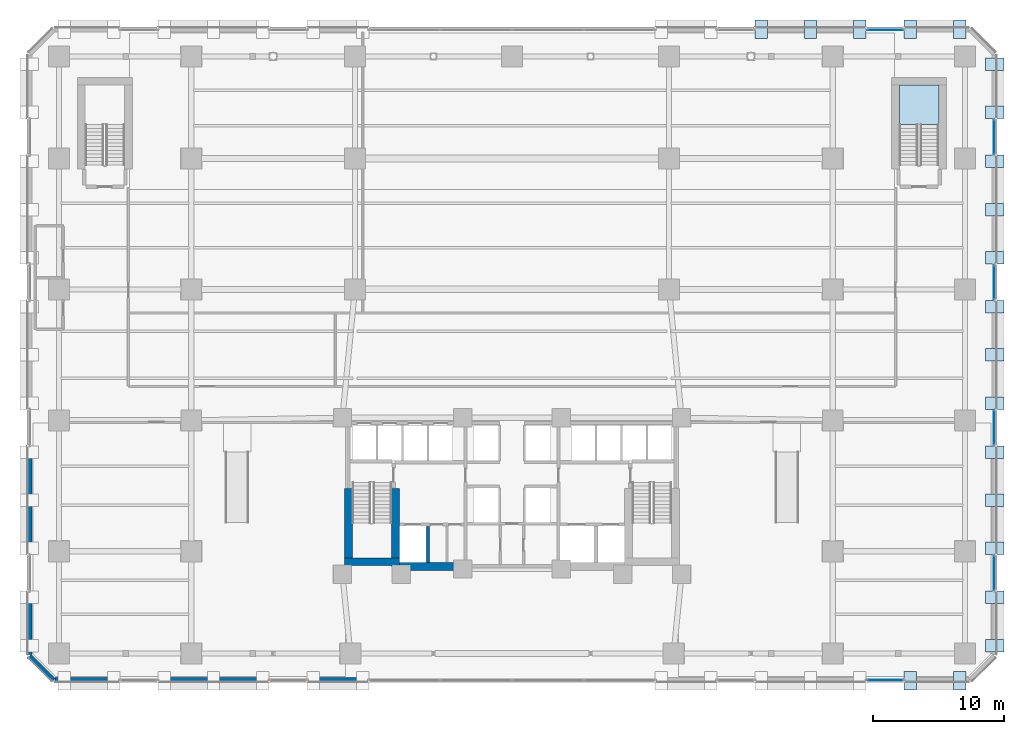
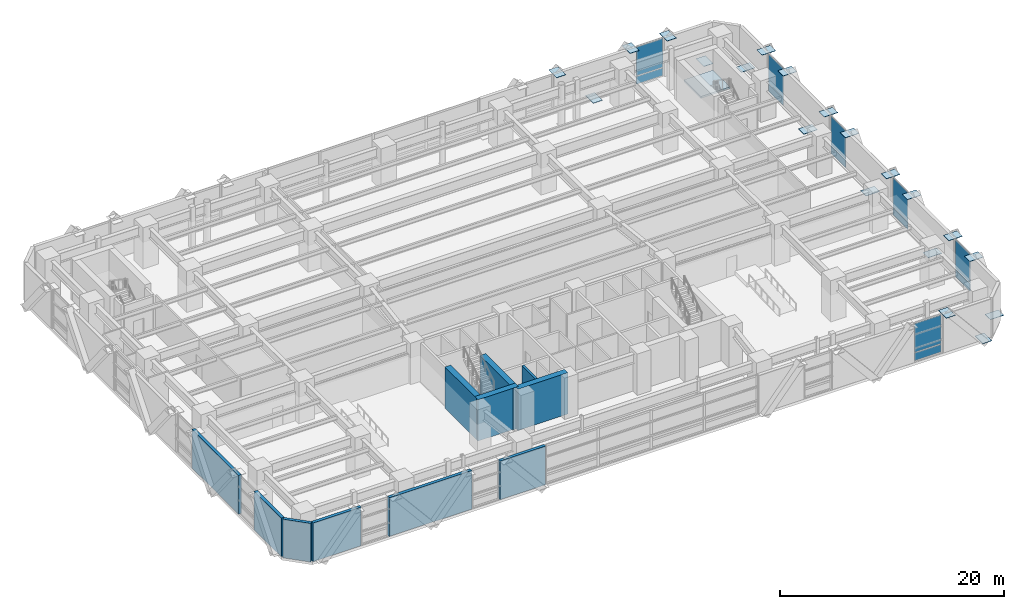
# One storey, part 13 of 26: 32 plates, 11 walls, 1 slab, 7 elements without a shape of their own.
"""IFC4 building model written with IfcOpenShell, lengths in metres."""

from ifc_helpers import new_model, si_unit, direction, frame, frame_2d, origin, origin_2d, place, context, subcontext, project, spatial, polyline, rectangle, outline, extrude, material, layer, layer_set, type_object, element, aggregate, save


model = new_model("IFC4")

# Units and contexts
model_context = context("Model", 3, precision=1e-05, world=origin(), true_north=direction((0.0, 1.0)))
body_context = subcontext(model_context, "Body", "Model", "MODEL_VIEW")
ifc_project = project(units=[si_unit("LENGTHUNIT", "METRE"), si_unit("AREAUNIT", "SQUARE_METRE"), si_unit("VOLUMEUNIT", "CUBIC_METRE"), si_unit("PLANEANGLEUNIT", "RADIAN"), si_unit("MASSUNIT", "GRAM", prefix="KILO")], contexts=[model_context])

# Site, building, storey
site_placement = place(None, origin())
site = spatial("IfcSite", under=ifc_project, at=site_placement, CompositionType="ELEMENT")
building_placement = place(site_placement, origin())
building = spatial("IfcBuilding", under=site, at=building_placement, Name="Quenlor Broadcast Tower", CompositionType="ELEMENT")
storey_placement = place(building_placement, frame((0.0, 0.0, 5.0)))
storey = spatial("IfcBuildingStorey", under=building, at=storey_placement, Name="L01", CompositionType="ELEMENT", Elevation=5.0)

# Curtain wall, plates
ifc_material_1 = material(Name="Architectural Terracotta and Low-E Glazing", Category="masonry")
curtain_wall_type = type_object("IfcCurtainWallType", Name="Station Concourse and Crown Terracotta Curtain Wall", PredefinedType="NOTDEFINED", material=ifc_material_1)
curtain_wall_1_placement = place(storey_placement, origin())
curtain_wall_1 = element("IfcCurtainWall", 1, at=curtain_wall_1_placement, inside=storey, type_object=curtain_wall_type, Name="L01 Curtain Wall CW6 (L01-S-FULL-G1)", PredefinedType="NOTDEFINED")
ifc_material_2 = material(Name="Double Glazed Low-E Solar Glass", Category="glass")
ifc_layer_1 = layer(ifc_material_2, 0.033935546875)
ifc_layer_set_1 = layer_set([ifc_layer_1], Name="CW6 Double Glazed Vision Panel 34")
plate_type_1 = type_object("IfcPlateType", Name="CW6 Double Glazed Vision Panel 34", PredefinedType="CURTAIN_PANEL", material=ifc_layer_set_1)
plate_1_placement = place(storey_placement, frame((28.5, -24.820068359375, 0.08203125), z_axis=(0.0, 0.0, 1.0), x_axis=(-1.0, 0.0, 0.0)))
plate_1 = element("IfcPlate", 2, at=plate_1_placement, type_object=plate_type_1, Name="CW6 panel 1.1", PredefinedType="CURTAIN_PANEL", context=body_context, shape_type="SweptSolid", body=[
    extrude(rectangle(XDim=2.737060546875, YDim=0.033935546875, at=origin_2d()), origin(), (0.0, 0.0, 1.0), 0.826904296875),
])
plate_2_placement = place(storey_placement, frame((28.5, -24.820068359375, 0.990966796875), z_axis=(0.0, 0.0, 1.0), x_axis=(-1.0, 0.0, 0.0)))
plate_2 = element("IfcPlate", 3, at=plate_2_placement, type_object=plate_type_1, Name="CW6 panel 1.2", PredefinedType="CURTAIN_PANEL", context=body_context, shape_type="SweptSolid", body=[
    extrude(rectangle(XDim=2.737060546875, YDim=0.033935546875, at=origin_2d()), origin(), (0.0, 0.0, 1.0), 3.126953125),
])
aggregate(curtain_wall_1, [plate_1, plate_2])

curtain_wall_2_placement = place(storey_placement, origin())
curtain_wall_2 = element("IfcCurtainWall", 4, at=curtain_wall_2_placement, inside=storey, type_object=curtain_wall_type, Name="L01 Curtain Wall CW6 (L01-N-FULL-G5)", PredefinedType="NOTDEFINED")
plate_3_placement = place(storey_placement, frame((28.5, 24.820068359375, 0.08203125), z_axis=(0.0, 0.0, 1.0), x_axis=(1.0, 0.0, 0.0)))
plate_3 = element("IfcPlate", 5, at=plate_3_placement, type_object=plate_type_1, Name="CW6 panel 1.1", PredefinedType="CURTAIN_PANEL", context=body_context, shape_type="SweptSolid", body=[
    extrude(rectangle(XDim=2.737060546875, YDim=0.033935546875, at=origin_2d()), origin(), (0.0, 0.0, 1.0), 0.826904296875),
])
plate_4_placement = place(storey_placement, frame((28.5, 24.820068359375, 0.990966796875), z_axis=(0.0, 0.0, 1.0), x_axis=(1.0, 0.0, 0.0)))
plate_4 = element("IfcPlate", 6, at=plate_4_placement, type_object=plate_type_1, Name="CW6 panel 1.2", PredefinedType="CURTAIN_PANEL", context=body_context, shape_type="SweptSolid", body=[
    extrude(rectangle(XDim=2.737060546875, YDim=0.033935546875, at=origin_2d()), origin(), (0.0, 0.0, 1.0), 3.126953125),
])
aggregate(curtain_wall_2, [plate_3, plate_4])

curtain_wall_3_placement = place(storey_placement, origin())
curtain_wall_3 = element("IfcCurtainWall", 7, at=curtain_wall_3_placement, inside=storey, type_object=curtain_wall_type, Name="L01 Curtain Wall CW6 (L01-E-FULL-G1)", PredefinedType="NOTDEFINED")
plate_5_placement = place(storey_placement, frame((36.820068359375, 16.64990234375, 0.08203125), z_axis=(0.0, 0.0, 1.0), x_axis=(0.0, -1.0, 0.0)))
plate_5 = element("IfcPlate", 8, at=plate_5_placement, type_object=plate_type_1, Name="CW6 panel 1.1", PredefinedType="CURTAIN_PANEL", context=body_context, shape_type="SweptSolid", body=[
    extrude(rectangle(XDim=2.630615234375, YDim=0.033935546875, at=origin_2d()), origin(), (0.0, 0.0, 1.0), 0.826904296875),
])
plate_6_placement = place(storey_placement, frame((36.820068359375, 16.64990234375, 0.990966796875), z_axis=(0.0, 0.0, 1.0), x_axis=(0.0, -1.0, 0.0)))
plate_6 = element("IfcPlate", 9, at=plate_6_placement, type_object=plate_type_1, Name="CW6 panel 1.2", PredefinedType="CURTAIN_PANEL", context=body_context, shape_type="SweptSolid", body=[
    extrude(rectangle(XDim=2.630615234375, YDim=0.033935546875, at=origin_2d()), origin(), (0.0, 0.0, 1.0), 3.126953125),
])
aggregate(curtain_wall_3, [plate_5, plate_6])

curtain_wall_4_placement = place(storey_placement, origin())
curtain_wall_4 = element("IfcCurtainWall", 10, at=curtain_wall_4_placement, inside=storey, type_object=curtain_wall_type, Name="L01 Curtain Wall CW6 (L01-E-FULL-G2)", PredefinedType="NOTDEFINED")
plate_7_placement = place(storey_placement, frame((36.820068359375, 5.550048828125, 0.08203125), z_axis=(0.0, 0.0, 1.0), x_axis=(0.0, -1.0, 0.0)))
plate_7 = element("IfcPlate", 11, at=plate_7_placement, type_object=plate_type_1, Name="CW6 panel 1.1", PredefinedType="CURTAIN_PANEL", context=body_context, shape_type="SweptSolid", body=[
    extrude(rectangle(XDim=2.630615234375, YDim=0.033935546875, at=origin_2d()), origin(), (0.0, 0.0, 1.0), 0.826904296875),
])
plate_8_placement = place(storey_placement, frame((36.820068359375, 5.550048828125, 0.990966796875), z_axis=(0.0, 0.0, 1.0), x_axis=(0.0, -1.0, 0.0)))
plate_8 = element("IfcPlate", 12, at=plate_8_placement, type_object=plate_type_1, Name="CW6 panel 1.2", PredefinedType="CURTAIN_PANEL", context=body_context, shape_type="SweptSolid", body=[
    extrude(rectangle(XDim=2.630615234375, YDim=0.033935546875, at=origin_2d()), origin(), (0.0, 0.0, 1.0), 3.126953125),
])
aggregate(curtain_wall_4, [plate_7, plate_8])

curtain_wall_5_placement = place(storey_placement, origin())
curtain_wall_5 = element("IfcCurtainWall", 13, at=curtain_wall_5_placement, inside=storey, type_object=curtain_wall_type, Name="L01 Curtain Wall CW6 (L01-E-FULL-G3)", PredefinedType="NOTDEFINED")
plate_9_placement = place(storey_placement, frame((36.820068359375, -5.550048828125, 0.08203125), z_axis=(0.0, 0.0, 1.0), x_axis=(0.0, -1.0, 0.0)))
plate_9 = element("IfcPlate", 14, at=plate_9_placement, type_object=plate_type_1, Name="CW6 panel 1.1", PredefinedType="CURTAIN_PANEL", context=body_context, shape_type="SweptSolid", body=[
    extrude(rectangle(XDim=2.630615234375, YDim=0.033935546875, at=origin_2d()), origin(), (0.0, 0.0, 1.0), 0.826904296875),
])
plate_10_placement = place(storey_placement, frame((36.820068359375, -5.550048828125, 0.990966796875), z_axis=(0.0, 0.0, 1.0), x_axis=(0.0, -1.0, 0.0)))
plate_10 = element("IfcPlate", 15, at=plate_10_placement, type_object=plate_type_1, Name="CW6 panel 1.2", PredefinedType="CURTAIN_PANEL", context=body_context, shape_type="SweptSolid", body=[
    extrude(rectangle(XDim=2.630615234375, YDim=0.033935546875, at=origin_2d()), origin(), (0.0, 0.0, 1.0), 3.126953125),
])
aggregate(curtain_wall_5, [plate_9, plate_10])

curtain_wall_6_placement = place(storey_placement, origin())
curtain_wall_6 = element("IfcCurtainWall", 16, at=curtain_wall_6_placement, inside=storey, type_object=curtain_wall_type, Name="L01 Curtain Wall CW6 (L01-E-FULL-G4)", PredefinedType="NOTDEFINED")
plate_11_placement = place(storey_placement, frame((36.820068359375, -16.64990234375, 0.08203125), z_axis=(0.0, 0.0, 1.0), x_axis=(0.0, -1.0, 0.0)))
plate_11 = element("IfcPlate", 17, at=plate_11_placement, type_object=plate_type_1, Name="CW6 panel 1.1", PredefinedType="CURTAIN_PANEL", context=body_context, shape_type="SweptSolid", body=[
    extrude(rectangle(XDim=2.630615234375, YDim=0.033935546875, at=origin_2d()), origin(), (0.0, 0.0, 1.0), 0.826904296875),
])
plate_12_placement = place(storey_placement, frame((36.820068359375, -16.64990234375, 0.990966796875), z_axis=(0.0, 0.0, 1.0), x_axis=(0.0, -1.0, 0.0)))
plate_12 = element("IfcPlate", 18, at=plate_12_placement, type_object=plate_type_1, Name="CW6 panel 1.2", PredefinedType="CURTAIN_PANEL", context=body_context, shape_type="SweptSolid", body=[
    extrude(rectangle(XDim=2.630615234375, YDim=0.033935546875, at=origin_2d()), origin(), (0.0, 0.0, 1.0), 3.126953125),
])
aggregate(curtain_wall_6, [plate_11, plate_12])

# Stair, slab
ifc_material_3 = material(Name="Precast concrete C40/50", Category="concrete")
stair_type = type_object("IfcStairType", Name="Precast Concrete C40/50 Dogleg Stair H450", PredefinedType="HALF_TURN_STAIR", material=ifc_material_3)
stair_placement = place(storey_placement, origin())
stair = element("IfcStair", 19, at=stair_placement, inside=storey, type_object=stair_type, Name="L01 Station Podium North-East Exit Stair ST-4", PredefinedType="HALF_TURN_STAIR")
ifc_material_4 = material(Name="Precast concrete C40/50", Category="concrete")
ifc_layer_2 = layer(ifc_material_4, 0.199951171875)
ifc_layer_set_2 = layer_set([ifc_layer_2], Name="Precast Concrete C40/50 Stair Landing Slab 200")
slab_type = type_object("IfcSlabType", Name="Precast Concrete C40/50 Stair Landing Slab 200", PredefinedType="LANDING", material=ifc_layer_set_2)
slab_placement = place(storey_placement, frame((0.0, 0.0, 2.050048828125)))
slab = element("IfcSlab", 20, at=slab_placement, type_object=slab_type, Name="ST-4 landing 1", PredefinedType="LANDING", context=body_context, shape_type="SweptSolid", body=[
    extrude(outline(polyline([(32.60009765625, 17.580078125), (32.60009765625, 20.60009765625), (29.60009765625, 20.60009765625), (29.60009765625, 17.580078125), (32.60009765625, 17.580078125)])), origin(), (0.0, 0.0, 1.0), 0.199951171875),
])
aggregate(stair, [slab])

# Plates
ifc_material_5 = material(Name="Steel S355", Category="steel")
ifc_layer_3 = layer(ifc_material_5, 0.035888671875)
ifc_layer_set_3 = layer_set([ifc_layer_3], Name="Transfer Truss Steel S355 Gusset Node Plate 1400x950x36")
plate_type_2 = type_object("IfcPlateType", Name="Transfer Truss Steel S355 Gusset Node Plate 1400x950x36", PredefinedType="SHEET", material=ifc_layer_set_3)
for number, where, z_axis, x_axis, name in (
    (21, (34.199951171875, -24.8798828125, 0.0419921875), (0.0, 0.0, 1.0), (0.0, -1.0, 0.0), "L01 Podium Lattice Tie Gusset S-B0"),
    (22, (30.4228515625, -24.8798828125, 4.14208984375), (0.0, 0.0, 1.0), (0.0, -1.0, 0.0), "L01 Podium Lattice Tie Gusset S-T1"),
    (23, (22.800048828125, 24.8798828125, 0.0419921875), (0.0, 0.0, 1.0), (0.0, 1.0, 0.0), "L01 Podium Lattice Tie Gusset N-B15"),
    (24, (19.022705078125, 24.8798828125, 4.14208984375), (0.0, 0.0, 1.0), (0.0, 1.0, 0.0), "L01 Podium Lattice Tie Gusset N-T14"),
    (25, (26.5771484375, 24.8798828125, 4.14208984375), (0.0, 0.0, 1.0), (0.0, 1.0, 0.0), "L01 Podium Lattice Tie Gusset N-T16"),
    (26, (34.199951171875, 24.8798828125, 0.0419921875), (0.0, 0.0, 1.0), (0.0, 1.0, 0.0), "L01 Podium Lattice Tie Gusset N-B18"),
    (27, (30.4228515625, 24.8798828125, 4.14208984375), (0.0, 0.0, 1.0), (0.0, 1.0, 0.0), "L01 Podium Lattice Tie Gusset N-T17"),
    (28, (36.8798828125, 22.199951171875, 0.0419921875), (0.0, 0.0, 1.0), (1.0, 0.0, 0.0), "L01 Podium Lattice Tie Gusset E-B0"),
    (29, (36.8798828125, 18.522216796875, 4.14208984375), (0.0, 0.0, 1.0), (1.0, 0.0, 0.0), "L01 Podium Lattice Tie Gusset E-T1"),
    (30, (36.8798828125, 11.10009765625, 0.0419921875), (0.0, 0.0, 1.0), (1.0, 0.0, 0.0), "L01 Podium Lattice Tie Gusset E-B3"),
    (31, (36.8798828125, 14.77783203125, 4.14208984375), (0.0, 0.0, 1.0), (1.0, 0.0, 0.0), "L01 Podium Lattice Tie Gusset E-T2"),
    (32, (36.8798828125, 7.422119140625, 4.14208984375), (0.0, 0.0, 1.0), (1.0, 0.0, 0.0), "L01 Podium Lattice Tie Gusset E-T4"),
    (33, (36.8798828125, 0.0, 0.0419921875), (0.0, 0.0, 1.0), (1.0, 0.0, 0.0), "L01 Podium Lattice Tie Gusset E-B6"),
    (34, (36.8798828125, 3.677734375, 4.14208984375), (0.0, 0.0, 1.0), (1.0, 0.0, 0.0), "L01 Podium Lattice Tie Gusset E-T5"),
    (35, (36.8798828125, -3.677734375, 4.14208984375), (0.0, 0.0, 1.0), (1.0, 0.0, 0.0), "L01 Podium Lattice Tie Gusset E-T7"),
    (36, (36.8798828125, -11.10009765625, 0.0419921875), (0.0, 0.0, 1.0), (1.0, 0.0, 0.0), "L01 Podium Lattice Tie Gusset E-B9"),
    (37, (36.8798828125, -7.422119140625, 4.14208984375), (0.0, 0.0, 1.0), (1.0, 0.0, 0.0), "L01 Podium Lattice Tie Gusset E-T8"),
    (38, (36.8798828125, -14.77783203125, 4.14208984375), (0.0, 0.0, 1.0), (1.0, 0.0, 0.0), "L01 Podium Lattice Tie Gusset E-T10"),
    (39, (36.8798828125, -22.199951171875, 0.0419921875), (0.0, 0.0, 1.0), (1.0, 0.0, 0.0), "L01 Podium Lattice Tie Gusset E-B12"),
    (40, (36.8798828125, -18.522216796875, 4.14208984375), (0.0, 0.0, 1.0), (1.0, 0.0, 0.0), "L01 Podium Lattice Tie Gusset E-T11"),
):
    element("IfcPlate", number, at=place(storey_placement, frame(where, z_axis=z_axis, x_axis=x_axis)), inside=storey, type_object=plate_type_2, Name=name, PredefinedType="SHEET", context=body_context, shape_type="SweptSolid", body=[
        extrude(rectangle(XDim=1.39990234375, YDim=0.949951171875, at=origin_2d()), origin(), (0.0, 0.0, 1.0), 0.035888671875),
    ])

# Walls
ifc_material_6 = material(Name="Concrete C65/80", Category="concrete")
ifc_layer_4 = layer(ifc_material_6, 0.60009765625)
ifc_layer_set_4 = layer_set([ifc_layer_4], Name="Core Concrete C65/80 Shear Wall 600")
wall_type_1 = type_object("IfcWallType", Name="Core Concrete C65/80 Shear Wall 600", PredefinedType="SHEAR", material=ifc_layer_set_4)
wall_1_placement = place(storey_placement, frame((-12.800048828125, -15.800048828125, 0.0), z_axis=(0.0, 0.0, 1.0), x_axis=(1.0, 0.0, 0.0)))
element("IfcWall", 41, at=wall_1_placement, inside=storey, type_object=wall_type_1, Name="L01 Core Shear Wall WS-W1", PredefinedType="SHEAR", context=body_context, shape_type="SweptSolid", body=[
    extrude(rectangle(XDim=4.199951171875, YDim=0.60009765625, at=frame_2d((2.10009765625, 0.0))), origin(), (0.0, 0.0, 1.0), 4.5),
])
wall_2_placement = place(storey_placement, frame((-8.89990234375, -16.14990234375, 0.0), z_axis=(0.0, 0.0, 1.0), x_axis=(1.0, 0.0, 0.0)))
element("IfcWall", 42, at=wall_2_placement, inside=storey, type_object=wall_type_1, Name="L01 Core Shear Wall WS-W2", PredefinedType="SHEAR", context=body_context, shape_type="SweptSolid", body=[
    extrude(rectangle(XDim=5.14990234375, YDim=0.60009765625, at=frame_2d((2.574951171875, 0.0))), origin(), (0.0, 0.0, 1.0), 4.5),
])
wall_3_placement = place(storey_placement, frame((-12.5, -15.800048828125, 0.0), z_axis=(0.0, 0.0, 1.0), x_axis=(0.0, 1.0, 0.0)))
element("IfcWall", 43, at=wall_3_placement, inside=storey, type_object=wall_type_1, Name="L01 Core Shear Wall WF-W", PredefinedType="SHEAR", context=body_context, shape_type="SweptSolid", body=[
    extrude(rectangle(XDim=5.60009765625, YDim=0.60009765625, at=frame_2d((2.800048828125, 0.0))), origin(), (0.0, 0.0, 1.0), 4.5),
])
wall_4_placement = place(storey_placement, frame((-8.89990234375, -16.14990234375, 0.0), z_axis=(0.0, 0.0, 1.0), x_axis=(0.0, 1.0, 0.0)))
element("IfcWall", 44, at=wall_4_placement, inside=storey, type_object=wall_type_1, Name="L01 Core Shear Wall WI-W", PredefinedType="SHEAR", context=body_context, shape_type="SweptSolid", body=[
    extrude(rectangle(XDim=5.949951171875, YDim=0.60009765625, at=frame_2d((2.97509765625, 0.0))), origin(), (0.0, 0.0, 1.0), 4.5),
])
ifc_material_7 = material(Name="Concrete C40/50", Category="concrete")
ifc_layer_5 = layer(ifc_material_7, 0.25)
ifc_layer_set_5 = layer_set([ifc_layer_5], Name="Fire Rated Concrete C40/50 Core Wall 250")
wall_type_2 = type_object("IfcWallType", Name="Fire Rated Concrete C40/50 Core Wall 250", PredefinedType="PARTITIONING", material=ifc_layer_set_5)
wall_5_placement = place(storey_placement, frame((-6.419921875, -15.847900390625, 0.0), z_axis=(0.0, 0.0, 1.0), x_axis=(0.0, 1.0, 0.0)))
element("IfcWall", 45, at=wall_5_placement, inside=storey, type_object=wall_type_2, Name="L01 Interior Wall CW-FF1-E", PredefinedType="PARTITIONING", context=body_context, shape_type="SweptSolid", body=[
    extrude(rectangle(XDim=2.7578125, YDim=0.25, at=frame_2d((1.37890625, 0.0))), origin(), (0.0, 0.0, 1.0), 4.199951171875),
])
ifc_material_8 = material(Name="Precast concrete C40/50", Category="concrete")
ifc_layer_6 = layer(ifc_material_8, 0.320068359375)
ifc_layer_set_6 = layer_set([ifc_layer_6], Name="Station Podium Precast Concrete C40/50 Facade Wall 320")
wall_type_3 = type_object("IfcWallType", Name="Station Podium Precast Concrete C40/50 Facade Wall 320", PredefinedType="STANDARD", material=ifc_layer_set_6)
wall_6_placement = place(storey_placement, frame((-10.950439453125, -24.820068359375, 0.0), z_axis=(0.0, 0.0, 1.0), x_axis=(-1.0, 0.0, 0.0)))
element("IfcWall", 46, at=wall_6_placement, inside=storey, type_object=wall_type_3, Name="L01 Exterior Wall L01-S-FULL-SP4", PredefinedType="STANDARD", context=body_context, shape_type="SweptSolid", body=[
    extrude(rectangle(XDim=4.698974609375, YDim=0.320068359375, at=frame_2d((2.349609375, 0.0))), origin(), (0.0, 0.0, 1.0), 4.199951171875),
])
wall_7_placement = place(storey_placement, frame((-18.550537109375, -24.820068359375, 0.0), z_axis=(0.0, 0.0, 1.0), x_axis=(-1.0, 0.0, 0.0)))
element("IfcWall", 47, at=wall_7_placement, inside=storey, type_object=wall_type_3, Name="L01 Exterior Wall L01-S-FULL-SP5", PredefinedType="STANDARD", context=body_context, shape_type="SweptSolid", body=[
    extrude(rectangle(XDim=8.4990234375, YDim=0.320068359375, at=frame_2d((4.24951171875, 0.0))), origin(), (0.0, 0.0, 1.0), 4.199951171875),
])
wall_8_placement = place(storey_placement, frame((-29.950439453125, -24.820068359375, 0.0), z_axis=(0.0, 0.0, 1.0), x_axis=(-1.0, 0.0, 0.0)))
element("IfcWall", 48, at=wall_8_placement, inside=storey, type_object=wall_type_3, Name="L01 Exterior Wall L01-S-FULL-SP6", PredefinedType="STANDARD", context=body_context, shape_type="SweptSolid", body=[
    extrude(rectangle(XDim=4.949462890625, YDim=0.320068359375, at=frame_2d((2.474609375, 0.0))), origin(), (0.0, 0.0, 1.0), 4.199951171875),
])
wall_9_placement = place(storey_placement, frame((-36.820068359375, -22.89990234375, 0.0), z_axis=(0.0, 0.0, 1.0), x_axis=(0.0, 1.0, 0.0)))
element("IfcWall", 49, at=wall_9_placement, inside=storey, type_object=wall_type_3, Name="L01 Exterior Wall L01-W-FULL-SP1", PredefinedType="STANDARD", context=body_context, shape_type="SweptSolid", body=[
    extrude(rectangle(XDim=4.8525390625, YDim=0.320068359375, at=frame_2d((2.42626953125, 0.0))), origin(), (0.0, 0.0, 1.0), 4.199951171875),
])
wall_10_placement = place(storey_placement, frame((-36.820068359375, -15.252685546875, 0.0), z_axis=(0.0, 0.0, 1.0), x_axis=(0.0, 1.0, 0.0)))
element("IfcWall", 50, at=wall_10_placement, inside=storey, type_object=wall_type_3, Name="L01 Exterior Wall L01-W-FULL-SP2", PredefinedType="STANDARD", context=body_context, shape_type="SweptSolid", body=[
    extrude(rectangle(XDim=8.305419921875, YDim=0.320068359375, at=frame_2d((4.15283203125, 0.0))), origin(), (0.0, 0.0, 1.0), 4.199951171875),
])
wall_11_placement = place(storey_placement, frame((-35.0, -24.820068359375, 0.0), z_axis=(0.0, 0.0, 1.0), x_axis=(-0.707106781187, 0.707106781187, 0.0)))
element("IfcWall", 51, at=wall_11_placement, inside=storey, type_object=wall_type_3, Name="L01 Exterior Wall L01-EW-CSW", PredefinedType="STANDARD", context=body_context, shape_type="SweptSolid", body=[
    extrude(rectangle(XDim=2.573974609375, YDim=0.320068359375, at=frame_2d((1.287109375, 0.0))), origin(), (0.0, 0.0, 1.0), 4.199951171875),
])

save(model, "model.ifc")
